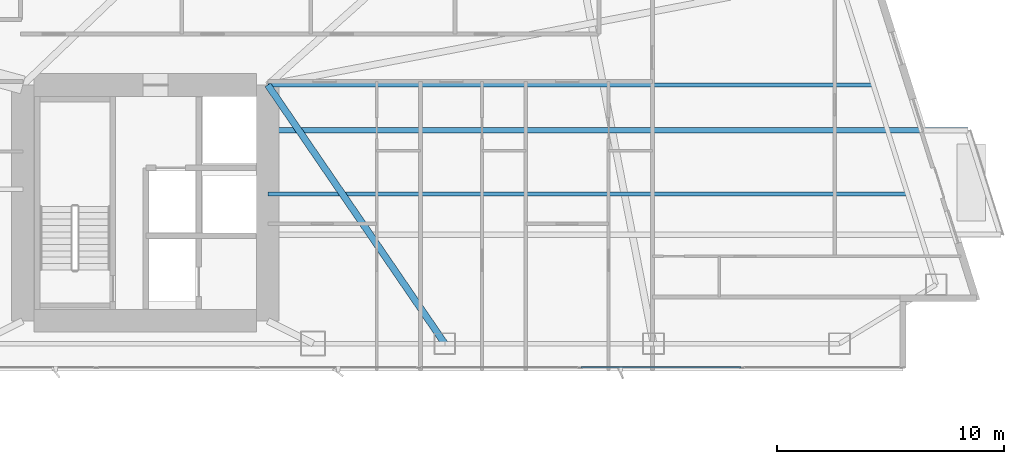
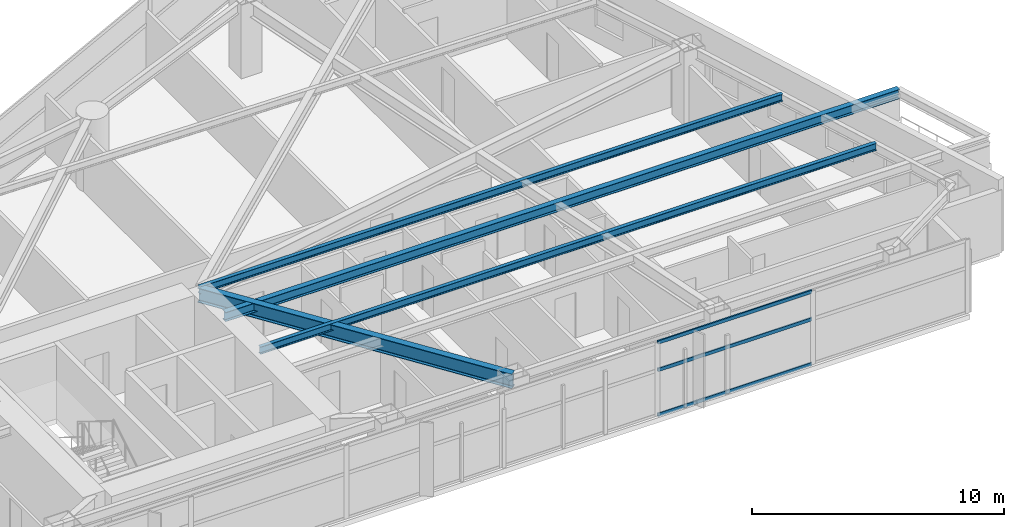
# One storey, part 13 of 30: 4 beams, 3 members, 1 element without a shape of its own.
"""IFC4 building model written with IfcOpenShell, lengths in metres."""

from ifc_helpers import new_model, si_unit, direction, frame, origin, origin_2d, place, context, subcontext, project, spatial, hollow_rectangle, i_section, extrude, material, layer, layer_set, material_profile, profile_set, type_object, element, aggregate, save


model = new_model("IFC4")

# Units and contexts
model_context = context("Model", 3, precision=1e-05, world=origin(), true_north=direction((0.0, 1.0)))
body_context = subcontext(model_context, "Body", "Model", "MODEL_VIEW")
ifc_project = project(units=[si_unit("LENGTHUNIT", "METRE"), si_unit("AREAUNIT", "SQUARE_METRE"), si_unit("VOLUMEUNIT", "CUBIC_METRE"), si_unit("PLANEANGLEUNIT", "RADIAN"), si_unit("MASSUNIT", "GRAM", prefix="KILO")], contexts=[model_context])

# Site, building, storey
site_placement = place(None, origin())
site = spatial("IfcSite", under=ifc_project, at=site_placement, CompositionType="ELEMENT")
building_placement = place(site_placement, origin())
building = spatial("IfcBuilding", under=site, at=building_placement, Name="Calvorn Quay Hotel", CompositionType="ELEMENT")
storey_placement = place(building_placement, frame((0.0, 0.0, 50.800048828125)))
storey = spatial("IfcBuildingStorey", under=building, at=storey_placement, Name="L11", CompositionType="ELEMENT", Elevation=50.800048828125)

# Beams
ifc_material_1 = material(Name="Steel Q355B", Category="steel")
ifc_material_profile_1 = material_profile(ifc_material_1, i_section(OverallWidth=0.25, OverallDepth=0.449951171875, WebThickness=0.011962890625, FlangeThickness=0.01611328125, FilletRadius=0.01611328125, at=origin_2d()), Name="HN450x250x12x16")
ifc_profile_set_1 = profile_set([ifc_material_profile_1], Name="Steel Q355B")
beam_type_1 = type_object("IfcBeamType", Name="BM-CANT-BALC", PredefinedType="BEAM", material=ifc_profile_set_1)
beam_1_placement = place(storey_placement, frame((32.39990234375, 13.0, 3.31494140625), z_axis=(1.0, 0.0, 0.0), x_axis=(0.0, 1.0, 0.0)))
element("IfcBeam", 1, at=beam_1_placement, inside=storey, type_object=beam_type_1, Name="Cantilever Balcony Beam BCB-L12-1B", PredefinedType="BEAM", context=body_context, shape_type="SweptSolid", body=[
    extrude(i_section(OverallWidth=0.25, OverallDepth=0.449951171875, WebThickness=0.011962890625, FlangeThickness=0.01611328125, FilletRadius=0.01611328125, at=origin_2d()), origin(), (0.0, 0.0, 1.0), 30.858154296875),
])
ifc_material_2 = material(Name="Steel Q390GJC", Category="steel")
ifc_material_profile_2 = material_profile(ifc_material_2, i_section(OverallWidth=0.300048828125, OverallDepth=0.699951171875, WebThickness=0.012939453125, FlangeThickness=0.02392578125, FilletRadius=0.02392578125, at=origin_2d()), Name="HN700x300x13x24")
ifc_profile_set_2 = profile_set([ifc_material_profile_2], Name="Steel Q390GJC")
beam_type_2 = type_object("IfcBeamType", Name="BM-GIRD-MAIN", PredefinedType="BEAM", material=ifc_profile_set_2)
beam_2_placement = place(storey_placement, frame((40.199951171875, 3.60009765625, 3.18994140625), z_axis=(-0.564689618177, 0.825303359452, 0.0), x_axis=(-0.825303359452, -0.564689618177, 0.0)))
element("IfcBeam", 2, at=beam_2_placement, inside=storey, type_object=beam_type_2, Name="Beam BG-L11-E6", PredefinedType="BEAM", context=body_context, shape_type="SweptSolid", body=[
    extrude(i_section(OverallWidth=0.300048828125, OverallDepth=0.699951171875, WebThickness=0.012939453125, FlangeThickness=0.02392578125, FilletRadius=0.02392578125, at=origin_2d()), origin(), (0.0, 0.0, 1.0), 13.81298828125),
])
ifc_material_3 = material(Name="Steel Q355B", Category="steel")
ifc_material_profile_3 = material_profile(ifc_material_3, i_section(OverallWidth=0.175048828125, OverallDepth=0.35009765625, WebThickness=0.007080078125, FlangeThickness=0.010986328125, FilletRadius=0.013916015625, at=origin_2d()), Name="HN350x175x7x11")
ifc_profile_set_3 = profile_set([ifc_material_profile_3], Name="Steel Q355B")
beam_type_3 = type_object("IfcBeamType", Name="BM-JOIST-SEC", PredefinedType="JOIST", material=ifc_profile_set_3)
beam_3_placement = place(storey_placement, frame((32.39990234375, 10.199951171875, 3.364990234375), z_axis=(1.0, 0.0, 0.0), x_axis=(0.0, 1.0, 0.0)))
element("IfcBeam", 3, at=beam_3_placement, inside=storey, type_object=beam_type_3, Name="Beam BJ-L11-E1", PredefinedType="JOIST", context=body_context, shape_type="SweptSolid", body=[
    extrude(i_section(OverallWidth=0.175048828125, OverallDepth=0.35009765625, WebThickness=0.007080078125, FlangeThickness=0.010986328125, FilletRadius=0.013916015625, at=origin_2d()), origin(), (0.0, 0.0, 1.0), 28.201171875),
])
beam_4_placement = place(storey_placement, frame((32.39990234375, 15.0, 3.364990234375), z_axis=(1.0, 0.0, 0.0), x_axis=(0.0, 1.0, 0.0)))
element("IfcBeam", 4, at=beam_4_placement, inside=storey, type_object=beam_type_3, Name="Beam BJ-L11-E2", PredefinedType="JOIST", context=body_context, shape_type="SweptSolid", body=[
    extrude(i_section(OverallWidth=0.175048828125, OverallDepth=0.35009765625, WebThickness=0.007080078125, FlangeThickness=0.010986328125, FilletRadius=0.013916015625, at=origin_2d()), origin(), (0.0, 0.0, 1.0), 26.68798828125),
])

# Curtain wall, members
ifc_material_4 = material(Name="Pale Anodised Aluminium and Low-E Glass", Category="aluminium")
ifc_layer = layer(ifc_material_4, 0.219970703125)
ifc_layer_set = layer_set([ifc_layer], Name="CW-SYS-Z1")
curtain_wall_type = type_object("IfcCurtainWallType", Name="CW-SYS-Z1", PredefinedType="NOTDEFINED", material=ifc_layer_set)
curtain_wall_placement = place(storey_placement, origin())
curtain_wall = element("IfcCurtainWall", 5, at=curtain_wall_placement, inside=storey, type_object=curtain_wall_type, Name="Tower South Waterfront Curtain Wall (L11)", PredefinedType="NOTDEFINED")
ifc_material_5 = material(Name="Pale Anodised Aluminium 6063-T6", Category="aluminium")
ifc_material_profile_4 = material_profile(ifc_material_5, hollow_rectangle(XDim=0.06494140625, YDim=0.1650390625, WallThickness=0.00341796875, at=origin_2d()), Name="ALU-T165x65x3.5")
ifc_profile_set_4 = profile_set([ifc_material_profile_4], Name="Pale Anodised Aluminium 6063-T6")
member_type = type_object("IfcMemberType", Name="CW-SYS-Z1-TRN", PredefinedType="USERDEFINED", material=ifc_profile_set_4)
member_1_placement = place(storey_placement, frame((46.201416015625, 2.550048828125, 0.030029296875), z_axis=(1.0, 0.0, 0.0), x_axis=(0.0, 1.0, 0.0)))
member_1 = element("IfcMember", 6, at=member_1_placement, type_object=member_type, Name="CW-L11-S transom 6.1", ObjectType="TRANSOM", PredefinedType="USERDEFINED", context=body_context, shape_type="SweptSolid", body=[
    extrude(hollow_rectangle(XDim=0.06494140625, YDim=0.1650390625, WallThickness=0.00341796875, at=origin_2d()), origin(), (0.0, 0.0, 1.0), 7.05419921875),
])
member_2_placement = place(storey_placement, frame((46.201416015625, 2.550048828125, 2.199951171875), z_axis=(1.0, 0.0, 0.0), x_axis=(0.0, 1.0, 0.0)))
member_2 = element("IfcMember", 7, at=member_2_placement, type_object=member_type, Name="CW-L11-S transom 6.2", ObjectType="TRANSOM", PredefinedType="USERDEFINED", context=body_context, shape_type="SweptSolid", body=[
    extrude(hollow_rectangle(XDim=0.06494140625, YDim=0.1650390625, WallThickness=0.00341796875, at=origin_2d()), origin(), (0.0, 0.0, 1.0), 7.05419921875),
])
member_3_placement = place(storey_placement, frame((46.201416015625, 2.550048828125, 3.530029296875), z_axis=(1.0, 0.0, 0.0), x_axis=(0.0, 1.0, 0.0)))
member_3 = element("IfcMember", 8, at=member_3_placement, type_object=member_type, Name="CW-L11-S transom 6.3", ObjectType="TRANSOM", PredefinedType="USERDEFINED", context=body_context, shape_type="SweptSolid", body=[
    extrude(hollow_rectangle(XDim=0.06494140625, YDim=0.1650390625, WallThickness=0.00341796875, at=origin_2d()), origin(), (0.0, 0.0, 1.0), 7.05419921875),
])
aggregate(curtain_wall, [member_1, member_2, member_3])

save(model, "model.ifc")
